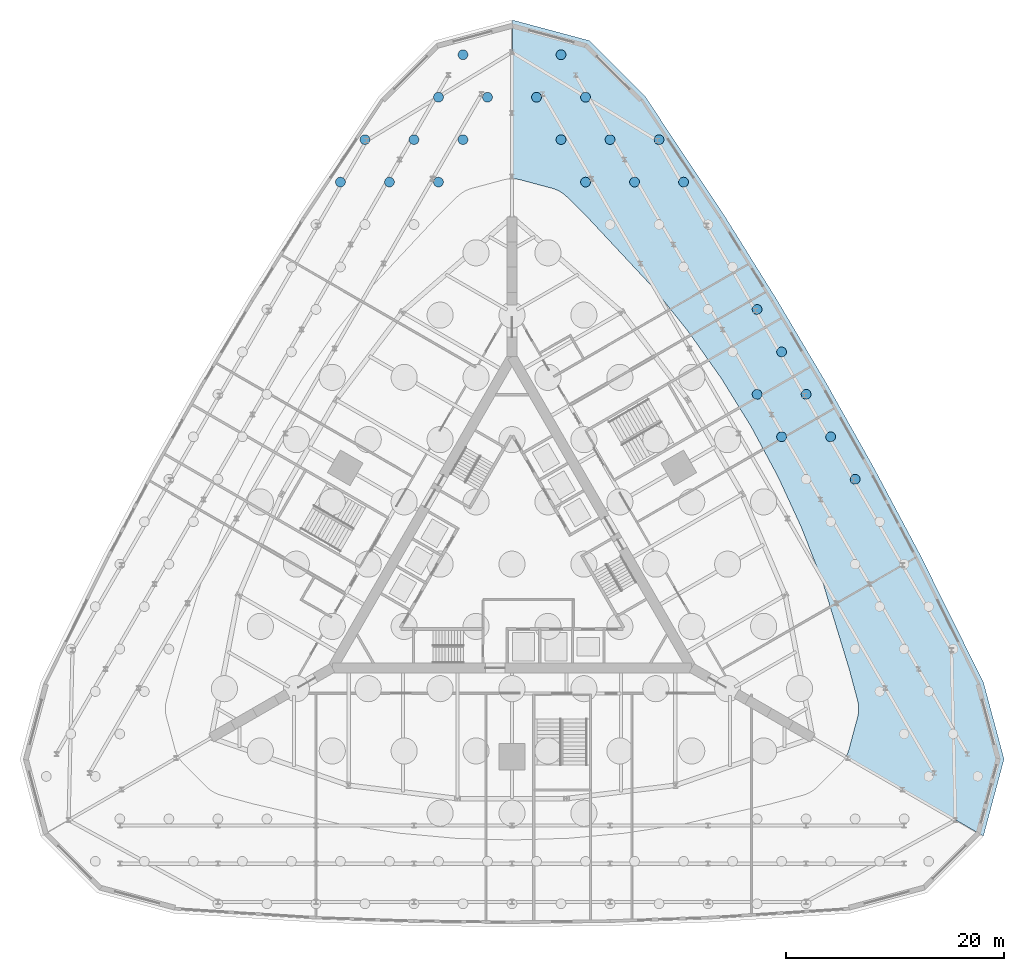
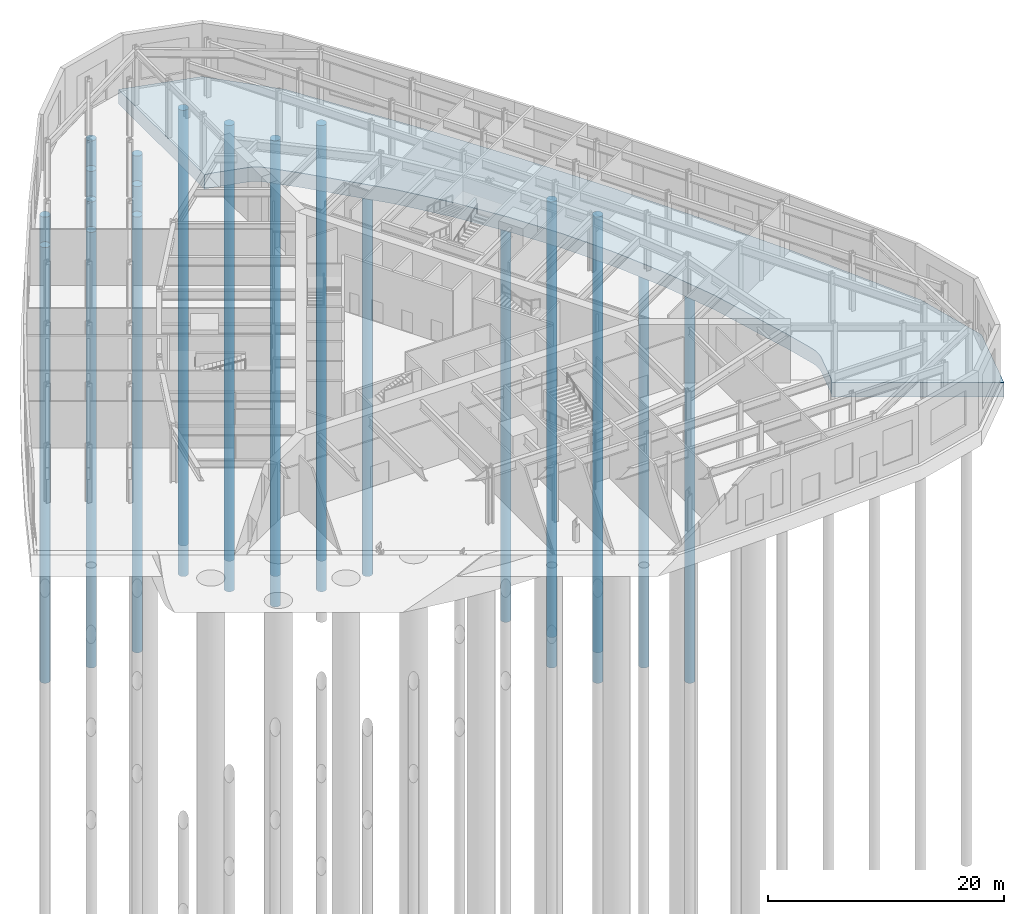
# One storey, part 2 of 17: 25 piles, 1 footing.
"""IFC4 building model written with IfcOpenShell, lengths in metres."""

from ifc_helpers import new_model, si_unit, direction, frame, origin, origin_2d, place, context, subcontext, project, spatial, polyline, circle, outline, extrude, material, type_object, element, save


model = new_model("IFC4")

# Units and contexts
model_context = context("Model", 3, precision=1e-05, world=origin(), true_north=direction((0.0, 1.0)))
body_context = subcontext(model_context, "Body", "Model", "MODEL_VIEW")
ifc_project = project(units=[si_unit("LENGTHUNIT", "METRE"), si_unit("AREAUNIT", "SQUARE_METRE"), si_unit("VOLUMEUNIT", "CUBIC_METRE"), si_unit("PLANEANGLEUNIT", "RADIAN"), si_unit("MASSUNIT", "GRAM", prefix="KILO")], contexts=[model_context])

# Site, building, storey
site_placement = place(None, origin())
site = spatial("IfcSite", under=ifc_project, at=site_placement, CompositionType="ELEMENT")
building_placement = place(site_placement, origin())
building = spatial("IfcBuilding", under=site, at=building_placement, Name="Trikona Tower", CompositionType="ELEMENT")
storey_placement = place(building_placement, origin())
storey = spatial("IfcBuildingStorey", under=building, at=storey_placement, Name="L00", CompositionType="ELEMENT", Elevation=0.0)

# Piles
ifc_material_1 = material(Name="Concrete f'c 6000 psi", Category="concrete")
pile_type = type_object("IfcPileType", Name="Drilled shaft 900", PredefinedType="BORED", material=ifc_material_1)
for number, where, z_axis, x_axis, name in (
    (1, (31.5, 7.794189453125, -1.800048828125), (0.0, 0.0, -1.0), (1.0, 0.0, 0.0), "Drilled shaft R2-17"),
    (2, (24.75, 11.69140625, -1.800048828125), (0.0, 0.0, -1.0), (1.0, 0.0, 0.0), "Drilled shaft R2-18"),
    (3, (29.25, 11.69140625, -1.800048828125), (0.0, 0.0, -1.0), (1.0, 0.0, 0.0), "Drilled shaft R2-19"),
    (4, (22.5, 15.58837890625, -1.800048828125), (0.0, 0.0, -1.0), (1.0, 0.0, 0.0), "Drilled shaft R2-20"),
    (5, (27.0, 15.58837890625, -1.800048828125), (0.0, 0.0, -1.0), (1.0, 0.0, 0.0), "Drilled shaft R2-21"),
    (6, (24.75, 19.485595703125, -1.800048828125), (0.0, 0.0, -1.0), (1.0, 0.0, 0.0), "Drilled shaft R2-23"),
    (7, (22.5, 23.3828125, -1.800048828125), (0.0, 0.0, -1.0), (1.0, 0.0, 0.0), "Drilled shaft R2-25"),
    (8, (6.75, 35.073974609375, -1.800048828125), (0.0, 0.0, -1.0), (1.0, 0.0, 0.0), "Drilled shaft R2-31"),
    (9, (11.25, 35.073974609375, -1.800048828125), (0.0, 0.0, -1.0), (1.0, 0.0, 0.0), "Drilled shaft R2-32"),
    (10, (15.75, 35.073974609375, -1.800048828125), (0.0, 0.0, -1.0), (1.0, 0.0, 0.0), "Drilled shaft R2-33"),
    (11, (4.5, 38.97119140625, -1.800048828125), (0.0, 0.0, -1.0), (1.0, 0.0, 0.0), "Drilled shaft R2-34"),
    (12, (9.0, 38.97119140625, -1.800048828125), (0.0, 0.0, -1.0), (1.0, 0.0, 0.0), "Drilled shaft R2-35"),
    (13, (13.5, 38.97119140625, -1.800048828125), (0.0, 0.0, -1.0), (1.0, 0.0, 0.0), "Drilled shaft R2-36"),
    (14, (2.25, 42.868408203125, -1.800048828125), (0.0, 0.0, -1.0), (1.0, 0.0, 0.0), "Drilled shaft R2-37"),
    (15, (6.75, 42.868408203125, -1.800048828125), (0.0, 0.0, -1.0), (1.0, 0.0, 0.0), "Drilled shaft R2-38"),
    (16, (4.5, 46.765380859375, -1.800048828125), (0.0, 0.0, -1.0), (1.0, 0.0, 0.0), "Drilled shaft R2-39"),
    (17, (-15.75, 35.073974609375, -1.800048828125), (0.0, 0.0, -1.0), (1.0, 0.0, 0.0), "Drilled shaft R3-31"),
    (18, (-11.25, 35.073974609375, -1.800048828125), (0.0, 0.0, -1.0), (1.0, 0.0, 0.0), "Drilled shaft R3-32"),
    (19, (-6.75, 35.073974609375, -1.800048828125), (0.0, 0.0, -1.0), (1.0, 0.0, 0.0), "Drilled shaft R3-33"),
    (20, (-13.5, 38.97119140625, -1.800048828125), (0.0, 0.0, -1.0), (1.0, 0.0, 0.0), "Drilled shaft R3-34"),
    (21, (-9.0, 38.97119140625, -1.800048828125), (0.0, 0.0, -1.0), (1.0, 0.0, 0.0), "Drilled shaft R3-35"),
    (22, (-4.5, 38.97119140625, -1.800048828125), (0.0, 0.0, -1.0), (1.0, 0.0, 0.0), "Drilled shaft R3-36"),
    (23, (-6.75, 42.868408203125, -1.800048828125), (0.0, 0.0, -1.0), (1.0, 0.0, 0.0), "Drilled shaft R3-37"),
    (24, (-2.25, 42.868408203125, -1.800048828125), (0.0, 0.0, -1.0), (1.0, 0.0, 0.0), "Drilled shaft R3-38"),
    (25, (-4.5, 46.765380859375, -1.800048828125), (0.0, 0.0, -1.0), (1.0, 0.0, 0.0), "Drilled shaft R3-39"),
):
    element("IfcPile", number, at=place(storey_placement, frame(where, z_axis=z_axis, x_axis=x_axis)), inside=storey, type_object=pile_type, Name=name, PredefinedType="BORED", context=body_context, shape_type="SweptSolid", body=[
        extrude(circle(Radius=0.449951171875, at=origin_2d()), origin(), (0.0, 0.0, 1.0), 45.0),
    ])

# Footing
ifc_material_2 = material(Name="Concrete f'c 6000 psi", Category="concrete")
footing_type = type_object("IfcFootingType", Name="Podium piled raft 1500", PredefinedType="PILE_CAP", material=ifc_material_2)
footing_placement = place(storey_placement, frame((0.0, 0.0, -1.800048828125)))
element("IfcFooting", 26, at=footing_placement, inside=storey, type_object=footing_type, Name="Podium piled raft 2", PredefinedType="PILE_CAP", context=body_context, shape_type="SweptSolid", body=[
    extrude(outline(polyline([(7.08349609375, 48.064697265625), (0.02490234375, 49.9560546875), (0.02490234375, 35.37744140625), (0.162109375, 35.377197265625), (0.474609375, 35.344482421875), (0.789306640625, 35.277587890625), (3.67626953125, 34.504150390625), (3.982177734375, 34.404541015625), (4.273681640625, 34.2744140625), (4.550048828125, 34.114501953125), (4.80810546875, 33.9267578125), (5.04150390625, 33.716552734375), (7.15673828125, 31.6015625), (7.229248046875, 31.526611328125), (12.83349609375, 25.521484375), (12.984375, 25.346923828125), (16.143310546875, 21.397216796875), (16.25341796875, 21.2509765625), (19.1494140625, 17.14794921875), (19.25048828125, 16.9951171875), (21.88232421875, 12.740966796875), (21.974365234375, 12.58154296875), (24.34326171875, 8.174072265625), (24.42529296875, 8.010009765625), (26.530517578125, 3.4501953125), (26.602294921875, 3.281982421875), (28.443359375, -1.4287109375), (28.51904296875, -1.646484375), (30.917236328125, -9.502685546875), (30.946044921875, -9.602783203125), (31.72021484375, -12.4921875), (31.786376953125, -12.8046875), (31.8193359375, -13.1220703125), (31.8193359375, -13.43603515625), (31.786376953125, -13.753662109375), (31.719482421875, -14.068603515625), (30.946044921875, -16.955078125), (30.846435546875, -17.26123046875), (30.71875, -17.548095703125), (30.650390625, -17.6669921875), (43.275634765625, -24.956298828125), (45.1669921875, -17.89794921875), (43.281982421875, -10.86328125), (37.478759765625, 0.836669921875), (33.24658203125, 8.79443359375), (28.833740234375, 16.647216796875), (24.23974609375, 24.39501953125), (19.464111328125, 32.039306640625), (12.2333984375, 42.914794921875), (7.08349609375, 48.064697265625)])), origin(), (0.0, 0.0, 1.0), 1.5),
])

save(model, "model.ifc")
